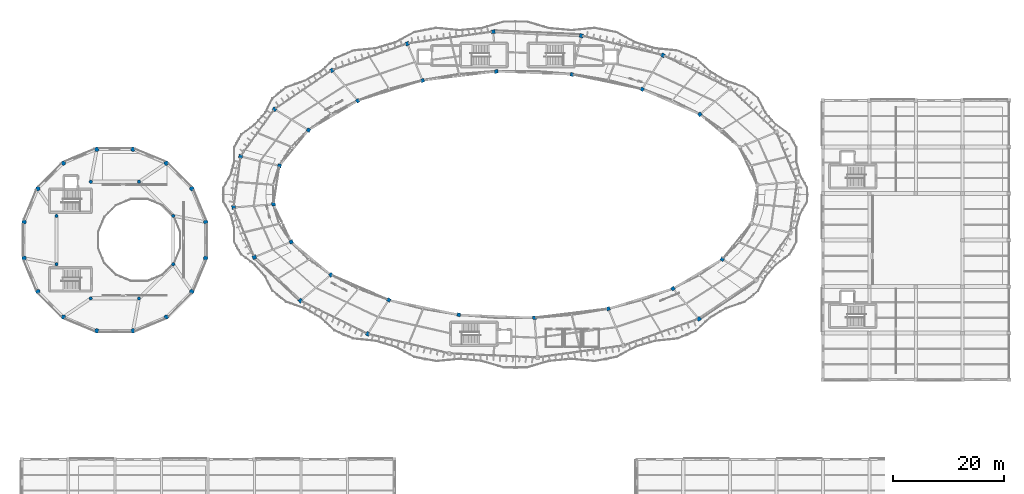
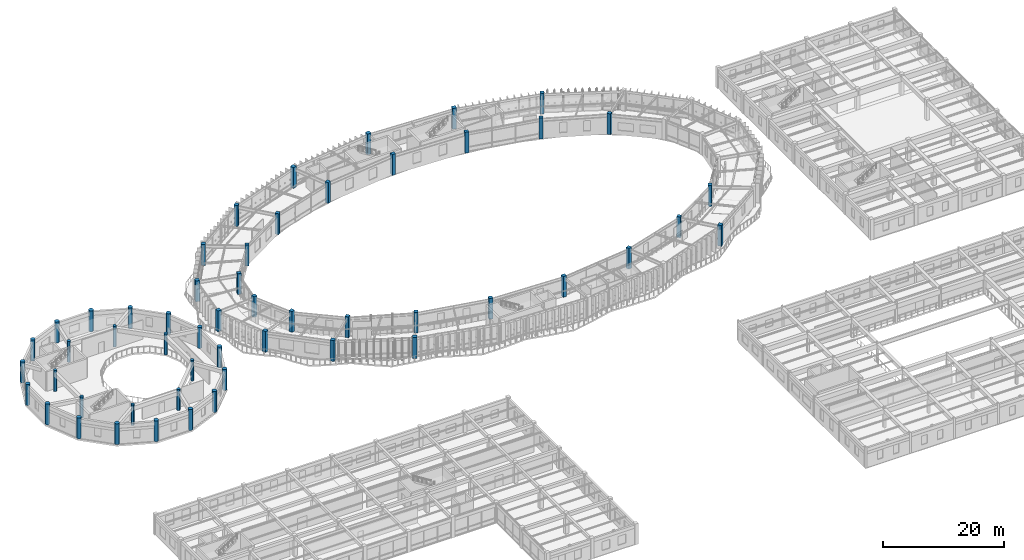
# One storey, part 5 of 138: 53 columns.
"""IFC4 building model written with IfcOpenShell, lengths in metres."""

from ifc_helpers import new_model, si_unit, direction, frame, origin, origin_2d, place, context, subcontext, project, spatial, rectangle, circle, extrude, material, material_profile, profile_set, type_object, element, save


model = new_model("IFC4")

# Units and contexts
model_context = context("Model", 3, precision=1e-05, world=origin(), true_north=direction((0.0, 1.0)))
body_context = subcontext(model_context, "Body", "Model", "MODEL_VIEW")
ifc_project = project(units=[si_unit("LENGTHUNIT", "METRE"), si_unit("AREAUNIT", "SQUARE_METRE"), si_unit("VOLUMEUNIT", "CUBIC_METRE"), si_unit("PLANEANGLEUNIT", "RADIAN"), si_unit("MASSUNIT", "GRAM", prefix="KILO"), si_unit("THERMODYNAMICTEMPERATUREUNIT", "KELVIN"), si_unit("POWERUNIT", "WATT")], contexts=[model_context])

# Site, building, storey
site_placement = place(None, origin())
site = spatial("IfcSite", under=ifc_project, at=site_placement, CompositionType="ELEMENT")
building_placement = place(site_placement, origin())
building = spatial("IfcBuilding", under=site, at=building_placement, Name="Darbajah Civic Hall", CompositionType="ELEMENT")
storey_placement = place(building_placement, frame((0.0, 0.0, 9.60009765625)))
storey = spatial("IfcBuildingStorey", under=building, at=storey_placement, Name="L02", CompositionType="ELEMENT", Elevation=9.60009765625)

# Columns
ifc_material_1 = material(Name="Concrete C45/55", Category="concrete")
ifc_material_profile_1 = material_profile(ifc_material_1, rectangle(XDim=0.64990234375, YDim=0.64990234375, at=origin_2d()), Name="RC COL 650x650")
ifc_profile_set_1 = profile_set([ifc_material_profile_1], Name="Concrete C45/55")
column_type_1 = type_object("IfcColumnType", Name="RC COL 650x650", PredefinedType="COLUMN", material=ifc_profile_set_1)
for number, where, z_axis, x_axis, name in (
    (1, (122.40576171875, 104.28271484375, 0.0), (0.0, 0.0, 1.0), (0.7604059656, 0.64944804833, 0.0), "L02 column C-RC650"),
    (2, (111.9853515625, 108.81396484375, 0.0), (0.0, 0.0, 1.0), (0.522498564716, 0.852640164354, 0.0), "L02 column C-RC650"),
    (3, (99.324951171875, 111.48388671875, 0.0), (0.0, 0.0, 1.0), (0.233445363856, 0.972369920398, 0.0), "L02 column C-RC650"),
    (4, (85.66357421875, 112.03125, 0.0), (0.0, 0.0, 1.0), (-0.078459095728, 0.996917333733, 0.0), "L02 column C-RC650"),
    (5, (72.33837890625, 110.402587890625, 0.0), (0.0, 0.0, 1.0), (-0.382683432365, 0.923879532511, 0.0), "L02 column C-RC650"),
    (6, (60.654296875, 106.757080078125, 0.0), (0.0, 0.0, 1.0), (-0.64944804833, 0.7604059656, 0.0), "L02 column C-RC650"),
    (7, (51.75439453125, 101.45166015625, 0.0), (0.0, 0.0, 1.0), (-0.852640164354, 0.522498564716, 0.0), "L02 column C-RC650"),
    (8, (46.51025390625, 95.005859375, 0.0), (0.0, 0.0, 1.0), (-0.972369920398, 0.233445363856, 0.0), "L02 column C-RC650"),
    (9, (45.43505859375, 88.05029296875, 0.0), (0.0, 0.0, 1.0), (-0.996917333733, -0.078459095728, 0.0), "L02 column C-RC650"),
    (10, (48.634033203125, 81.26611328125, 0.0), (0.0, 0.0, 1.0), (-0.923879532511, -0.382683432365, 0.0), "L02 column C-RC650"),
    (11, (55.794189453125, 75.3173828125, 0.0), (0.0, 0.0, 1.0), (-0.7604059656, -0.64944804833, 0.0), "L02 column C-RC650"),
    (12, (66.214599609375, 70.7861328125, 0.0), (0.0, 0.0, 1.0), (-0.522498564716, -0.852640164354, 0.0), "L02 column C-RC650"),
    (13, (78.875, 68.1162109375, 0.0), (0.0, 0.0, 1.0), (-0.233445363856, -0.972369920398, 0.0), "L02 column C-RC650"),
    (14, (92.53662109375, 67.568603515625, 0.0), (0.0, 0.0, 1.0), (0.078459095728, -0.996917333733, 0.0), "L02 column C-RC650"),
    (15, (105.861572265625, 69.197509765625, 0.0), (0.0, 0.0, 1.0), (0.382683432365, -0.923879532511, 0.0), "L02 column C-RC650"),
    (16, (117.5458984375, 72.843017578125, 0.0), (0.0, 0.0, 1.0), (0.64944804833, -0.7604059656, 0.0), "L02 column C-RC650"),
    (17, (126.445556640625, 78.148193359375, 0.0), (0.0, 0.0, 1.0), (0.852640164354, -0.522498564716, 0.0), "L02 column C-RC650"),
):
    element("IfcColumn", number, at=place(storey_placement, frame(where, z_axis=z_axis, x_axis=x_axis)), inside=storey, type_object=column_type_1, Name=name, PredefinedType="COLUMN", context=body_context, shape_type="SweptSolid", body=[
        extrude(rectangle(XDim=0.64990234375, YDim=0.64990234375, at=origin_2d()), origin(), (0.0, 0.0, 1.0), 4.199951171875),
    ])
ifc_material_profile_2 = material_profile(ifc_material_1, rectangle(XDim=0.699951171875, YDim=0.699951171875, at=origin_2d()), Name="RC COL 700x700")
ifc_profile_set_2 = profile_set([ifc_material_profile_2], Name="Concrete C45/55")
column_type_2 = type_object("IfcColumnType", Name="RC COL 700x700", PredefinedType="COLUMN", material=ifc_profile_set_2)
for number, where, z_axis, x_axis, name in (
    (18, (115.747314453125, 114.952880859375, 0.0), (0.0, 0.0, 1.0), (0.522498564716, 0.852640164354, 0.0), "L02 column C-RC700"),
    (19, (101.005615234375, 118.48486328125, 0.0), (0.0, 0.0, 1.0), (0.233445363856, 0.972369920398, 0.0), "L02 column C-RC700"),
    (20, (85.0986328125, 119.208984375, 0.0), (0.0, 0.0, 1.0), (-0.078459095728, 0.996917333733, 0.0), "L02 column C-RC700"),
    (21, (69.5830078125, 117.054443359375, 0.0), (0.0, 0.0, 1.0), (-0.382683432365, 0.923879532511, 0.0), "L02 column C-RC700"),
    (22, (55.97802734375, 112.23193359375, 0.0), (0.0, 0.0, 1.0), (-0.64944804833, 0.7604059656, 0.0), "L02 column C-RC700"),
    (23, (45.615478515625, 105.213623046875, 0.0), (0.0, 0.0, 1.0), (-0.852640164354, 0.522498564716, 0.0), "L02 column C-RC700"),
    (24, (39.509033203125, 96.6865234375, 0.0), (0.0, 0.0, 1.0), (-0.972369920398, 0.233445363856, 0.0), "L02 column C-RC700"),
    (25, (38.257080078125, 87.485595703125, 0.0), (0.0, 0.0, 1.0), (-0.996917333733, -0.078459095728, 0.0), "L02 column C-RC700"),
    (26, (41.982177734375, 78.5107421875, 0.0), (0.0, 0.0, 1.0), (-0.923879532511, -0.382683432365, 0.0), "L02 column C-RC700"),
    (27, (50.3193359375, 70.641357421875, 0.0), (0.0, 0.0, 1.0), (-0.7604059656, -0.64944804833, 0.0), "L02 column C-RC700"),
    (28, (62.45263671875, 64.647216796875, 0.0), (0.0, 0.0, 1.0), (-0.522498564716, -0.852640164354, 0.0), "L02 column C-RC700"),
    (29, (122.221923828125, 67.367919921875, 0.0), (0.0, 0.0, 1.0), (0.64944804833, -0.7604059656, 0.0), "L02 column C-RC700"),
):
    element("IfcColumn", number, at=place(storey_placement, frame(where, z_axis=z_axis, x_axis=x_axis)), inside=storey, type_object=column_type_2, Name=name, PredefinedType="COLUMN", context=body_context, shape_type="SweptSolid", body=[
        extrude(rectangle(XDim=0.699951171875, YDim=0.699951171875, at=origin_2d()), origin(), (0.0, 0.0, 1.0), 4.199951171875),
    ])
ifc_material_profile_3 = material_profile(ifc_material_1, circle(Radius=0.300048828125, at=origin_2d()), Name="RC COL D600")
ifc_profile_set_3 = profile_set([ifc_material_profile_3], Name="Concrete C45/55")
column_type_3 = type_object("IfcColumnType", Name="RC COL D600", PredefinedType="COLUMN", material=ifc_profile_set_3)
for number, where, z_axis, x_axis, name in (
    (30, (27.332275390625, 85.962646484375, 0.0), (0.0, 0.0, 1.0), (1.0, 0.0, 0.0), "L02 column C-RCD600"),
    (31, (21.16259765625, 92.132080078125, 0.0), (0.0, 0.0, 1.0), (1.0, 0.0, 0.0), "L02 column C-RCD600"),
    (32, (12.4375, 92.132080078125, 0.0), (0.0, 0.0, 1.0), (1.0, 0.0, 0.0), "L02 column C-RCD600"),
    (33, (6.267822265625, 85.962646484375, 0.0), (0.0, 0.0, 1.0), (1.0, 0.0, 0.0), "L02 column C-RCD600"),
    (34, (6.267822265625, 77.2373046875, 0.0), (0.0, 0.0, 1.0), (1.0, 0.0, 0.0), "L02 column C-RCD600"),
    (35, (12.4375, 71.06787109375, 0.0), (0.0, 0.0, 1.0), (1.0, 0.0, 0.0), "L02 column C-RCD600"),
    (36, (21.16259765625, 71.06787109375, 0.0), (0.0, 0.0, 1.0), (1.0, 0.0, 0.0), "L02 column C-RCD600"),
    (37, (27.332275390625, 77.2373046875, 0.0), (0.0, 0.0, 1.0), (1.0, 0.0, 0.0), "L02 column C-RCD600"),
):
    element("IfcColumn", number, at=place(storey_placement, frame(where, z_axis=z_axis, x_axis=x_axis)), inside=storey, type_object=column_type_3, Name=name, PredefinedType="COLUMN", context=body_context, shape_type="SweptSolid", body=[
        extrude(circle(Radius=0.300048828125, at=origin_2d()), origin(), (0.0, 0.0, 1.0), 4.199951171875),
    ])
ifc_material_2 = material(Name="Concrete C50/60", Category="concrete")
ifc_material_profile_4 = material_profile(ifc_material_2, circle(Radius=0.39990234375, at=origin_2d()), Name="RC COL D800")
ifc_profile_set_4 = profile_set([ifc_material_profile_4], Name="Concrete C50/60")
column_type_4 = type_object("IfcColumnType", Name="RC COL D800", PredefinedType="COLUMN", material=ifc_profile_set_4)
for number, where, z_axis, x_axis, name in (
    (38, (33.179931640625, 84.858154296875, 0.0), (0.0, 0.0, 1.0), (1.0, 0.0, 0.0), "L02 column C-RCD800"),
    (39, (30.686279296875, 90.87841796875, 0.0), (0.0, 0.0, 1.0), (1.0, 0.0, 0.0), "L02 column C-RCD800"),
    (40, (26.07861328125, 95.486328125, 0.0), (0.0, 0.0, 1.0), (1.0, 0.0, 0.0), "L02 column C-RCD800"),
    (41, (20.05810546875, 97.97998046875, 0.0), (0.0, 0.0, 1.0), (1.0, 0.0, 0.0), "L02 column C-RCD800"),
    (42, (13.541748046875, 97.97998046875, 0.0), (0.0, 0.0, 1.0), (1.0, 0.0, 0.0), "L02 column C-RCD800"),
    (43, (7.521484375, 95.486328125, 0.0), (0.0, 0.0, 1.0), (1.0, 0.0, 0.0), "L02 column C-RCD800"),
    (44, (2.913818359375, 90.87841796875, 0.0), (0.0, 0.0, 1.0), (1.0, 0.0, 0.0), "L02 column C-RCD800"),
    (45, (0.419921875, 84.858154296875, 0.0), (0.0, 0.0, 1.0), (1.0, 0.0, 0.0), "L02 column C-RCD800"),
    (46, (0.419921875, 78.341796875, 0.0), (0.0, 0.0, 1.0), (1.0, 0.0, 0.0), "L02 column C-RCD800"),
    (47, (2.913818359375, 72.321533203125, 0.0), (0.0, 0.0, 1.0), (1.0, 0.0, 0.0), "L02 column C-RCD800"),
    (48, (7.521484375, 67.713623046875, 0.0), (0.0, 0.0, 1.0), (1.0, 0.0, 0.0), "L02 column C-RCD800"),
    (49, (13.541748046875, 65.219970703125, 0.0), (0.0, 0.0, 1.0), (1.0, 0.0, 0.0), "L02 column C-RCD800"),
    (50, (20.05810546875, 65.219970703125, 0.0), (0.0, 0.0, 1.0), (1.0, 0.0, 0.0), "L02 column C-RCD800"),
    (51, (26.07861328125, 67.713623046875, 0.0), (0.0, 0.0, 1.0), (1.0, 0.0, 0.0), "L02 column C-RCD800"),
    (52, (30.686279296875, 72.321533203125, 0.0), (0.0, 0.0, 1.0), (1.0, 0.0, 0.0), "L02 column C-RCD800"),
    (53, (33.179931640625, 78.341796875, 0.0), (0.0, 0.0, 1.0), (1.0, 0.0, 0.0), "L02 column C-RCD800"),
):
    element("IfcColumn", number, at=place(storey_placement, frame(where, z_axis=z_axis, x_axis=x_axis)), inside=storey, type_object=column_type_4, Name=name, PredefinedType="COLUMN", context=body_context, shape_type="SweptSolid", body=[
        extrude(circle(Radius=0.39990234375, at=origin_2d()), origin(), (0.0, 0.0, 1.0), 4.199951171875),
    ])

save(model, "model.ifc")
